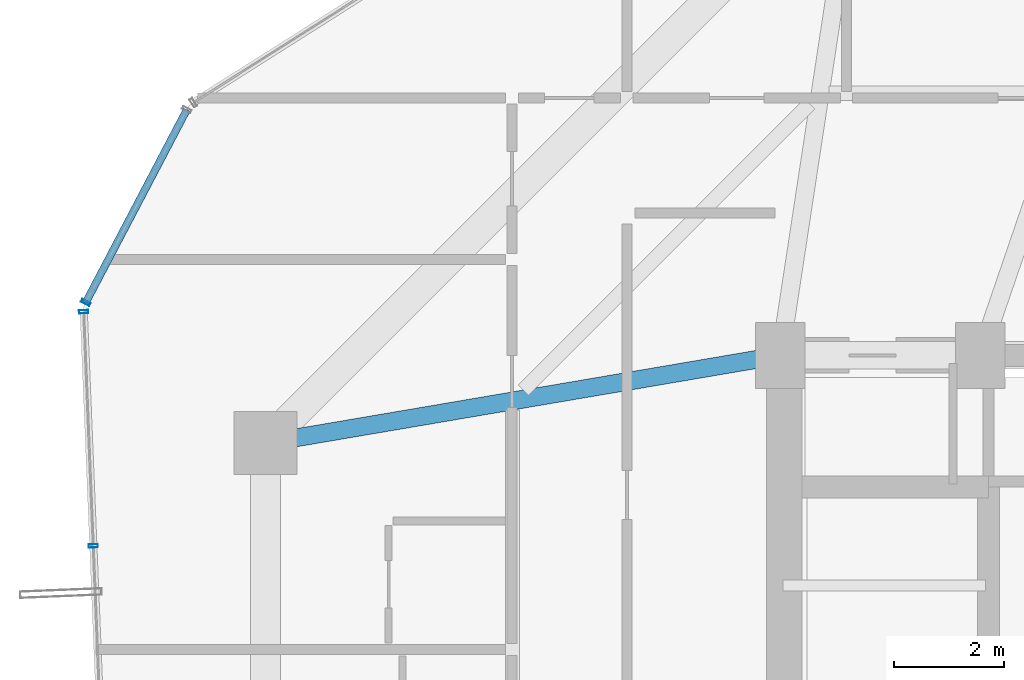
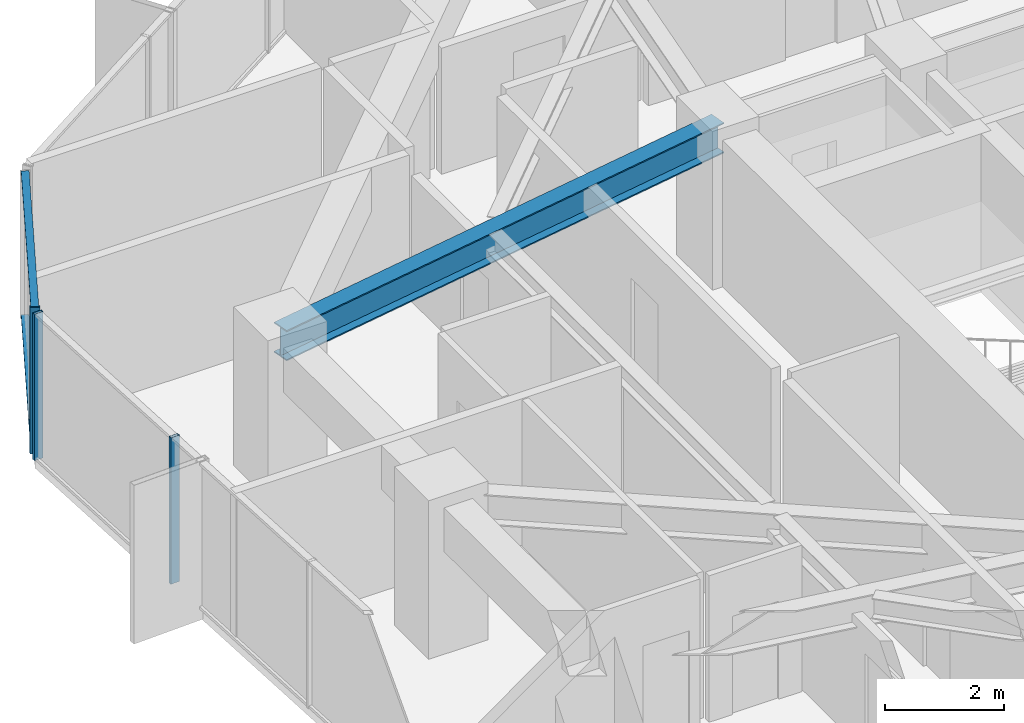
# One storey, part 11 of 32: 5 members, 1 beam, 2 elements without a shape of their own.
"""IFC4 building model written with IfcOpenShell, lengths in metres."""

from ifc_helpers import new_model, si_unit, direction, frame, origin, origin_2d, place, context, subcontext, project, spatial, hollow_rectangle, i_section, extrude, source, transform, mapped, material, layer, layer_set, material_profile, profile_set, type_object, element, aggregate, save


model = new_model("IFC4")

# Units and contexts
model_context = context("Model", 3, precision=1e-05, world=origin(), true_north=direction((0.0, 1.0)))
body_context = subcontext(model_context, "Body", "Model", "MODEL_VIEW")
ifc_project = project(units=[si_unit("LENGTHUNIT", "METRE"), si_unit("AREAUNIT", "SQUARE_METRE"), si_unit("VOLUMEUNIT", "CUBIC_METRE"), si_unit("PLANEANGLEUNIT", "RADIAN"), si_unit("MASSUNIT", "GRAM", prefix="KILO")], contexts=[model_context])

# Site, building, storey
site_placement = place(None, origin())
site = spatial("IfcSite", under=ifc_project, at=site_placement, CompositionType="ELEMENT")
building_placement = place(site_placement, origin())
building = spatial("IfcBuilding", under=site, at=building_placement, Name="Veraguas Prism Commons", CompositionType="ELEMENT")
storey_placement = place(building_placement, frame((0.0, 0.0, 136.0)))
storey = spatial("IfcBuildingStorey", under=building, at=storey_placement, Name="L38", CompositionType="ELEMENT", Elevation=136.0)

# Beam
ifc_material_1 = material(Name="Steel ASTM A992 Grade 50", Category="steel")
ifc_material_profile_1 = material_profile(ifc_material_1, i_section(OverallWidth=0.327880859375, OverallDepth=0.6220703125, WebThickness=0.015380859375, FlangeThickness=0.0244140625, at=origin_2d()), Name="W610X195")
ifc_profile_set_1 = profile_set([ifc_material_profile_1], Name="Steel ASTM A992 Grade 50")
beam_type = type_object("IfcBeamType", Name="Zone 2 Radial Girder W610x195", PredefinedType="BEAM", material=ifc_profile_set_1)
beam_placement = place(storey_placement, frame((7.800048828125, 29.39990234375, 2.68896484375), z_axis=(0.985819187151, 0.1678109956, 0.0), x_axis=(-0.1678109956, 0.985819187151, 0.0)))
element("IfcBeam", 1, at=beam_placement, inside=storey, type_object=beam_type, Name="Radial Floor Girder L38-RD07", PredefinedType="BEAM", context=body_context, shape_type="SweptSolid", body=[
    extrude(i_section(OverallWidth=0.327880859375, OverallDepth=0.6220703125, WebThickness=0.015380859375, FlangeThickness=0.0244140625, at=origin_2d()), origin(), (0.0, 0.0, 1.0), 9.53515625),
])

# Curtain wall, members
ifc_material_2 = material(Name="Anodised aluminium EN AW-6063 T6", Category="aluminium")
ifc_layer = layer(ifc_material_2, 0.169921875, Name="Unitised Flush Curtain Wall Zone 2", Category="aluminium")
ifc_layer_set = layer_set([ifc_layer], Name="Anodised aluminium EN AW-6063 T6")
curtain_wall_type = type_object("IfcCurtainWallType", Name="Unitised Flush Curtain Wall Zone 2", PredefinedType="NOTDEFINED", material=ifc_layer_set)
curtain_wall_1_placement = place(storey_placement, origin())
curtain_wall_1 = element("IfcCurtainWall", 2, at=curtain_wall_1_placement, inside=storey, type_object=curtain_wall_type, Name="Tower Facade Curtain Wall L38-F3", PredefinedType="NOTDEFINED")
ifc_material_profile_2 = material_profile(ifc_material_2, hollow_rectangle(XDim=0.06005859375, YDim=0.169921875, WallThickness=0.00390625, at=origin_2d()), Name="AL60X170X4")
ifc_profile_set_2 = profile_set([ifc_material_profile_2], Name="Anodised aluminium EN AW-6063 T6")
member_type_1 = type_object("IfcMemberType", Name="Curtain Wall Mullion Lower AL 60x170x4", PredefinedType="MULLION", material=ifc_profile_set_2)
shared_shape_1 = source(origin(), body_context, "Body", "SweptSolid", [
    extrude(hollow_rectangle(XDim=0.06005859375, YDim=0.169921875, WallThickness=0.00390625, at=origin_2d()), origin(), (0.0, 0.0, 1.0), 3.0),
])
member_1_placement = place(storey_placement, frame((4.48291015625, 31.796875, 0.0), z_axis=(0.0, 0.0, 1.0), x_axis=(0.040836327473, -0.999165849276, 0.0)))
member_1 = element("IfcMember", 3, at=member_1_placement, type_object=member_type_1, Name="CW-Z2 Mullion 1", PredefinedType="MULLION", context=body_context, shape_type="MappedRepresentation", body=[
    mapped(shared_shape_1, transform((0.0, 0.0, 0.0), scale=1.0)),
])
member_2_placement = place(storey_placement, frame((4.657470703125, 27.521728515625, 0.0), z_axis=(0.0, 0.0, 1.0), x_axis=(0.040836327473, -0.999165849276, 0.0)))
member_2 = element("IfcMember", 4, at=member_2_placement, type_object=member_type_1, Name="CW-Z2 Mullion 2", PredefinedType="MULLION", context=body_context, shape_type="MappedRepresentation", body=[
    mapped(shared_shape_1, transform((0.0, 0.0, 0.0), scale=1.0)),
])
aggregate(curtain_wall_1, [member_1, member_2])

curtain_wall_2_placement = place(storey_placement, origin())
curtain_wall_2 = element("IfcCurtainWall", 5, at=curtain_wall_2_placement, inside=storey, type_object=curtain_wall_type, Name="Chamfer Curtain Wall L38-C3", PredefinedType="NOTDEFINED")
member_3_placement = place(storey_placement, frame((4.52099609375, 31.96630859375, 0.0), z_axis=(0.0, 0.0, 1.0), x_axis=(-0.464200622938, -0.885730083978, 0.0)))
member_3 = element("IfcMember", 6, at=member_3_placement, type_object=member_type_1, Name="CW-Z2 Mullion 2", PredefinedType="MULLION", context=body_context, shape_type="MappedRepresentation", body=[
    mapped(shared_shape_1, transform((0.0, 0.0, 0.0), scale=1.0)),
])
ifc_material_profile_3 = material_profile(ifc_material_2, hollow_rectangle(XDim=0.054931640625, YDim=0.135009765625, WallThickness=0.0029296875, at=origin_2d()), Name="AL55X135X3")
ifc_profile_set_3 = profile_set([ifc_material_profile_3], Name="Anodised aluminium EN AW-6063 T6")
member_type_2 = type_object("IfcMemberType", Name="Curtain Wall Transom Standard AL 55x135x3", PredefinedType="USERDEFINED", material=ifc_profile_set_3)
shared_shape_2 = source(origin(), body_context, "Body", "SweptSolid", [
    extrude(hollow_rectangle(XDim=0.054931640625, YDim=0.135009765625, WallThickness=0.0029296875, at=origin_2d()), origin(), (0.0, 0.0, 1.0), 3.973388671875),
])
member_4_placement = place(storey_placement, frame((6.365478515625, 35.485595703125, 0.027587890625), z_axis=(-0.464213619432, -0.885723272549, 0.0), x_axis=(0.0, 0.0, 1.0)))
member_4 = element("IfcMember", 7, at=member_4_placement, type_object=member_type_2, Name="CW-Z2 Transom 1", ObjectType="TRANSOM", PredefinedType="USERDEFINED", context=body_context, shape_type="MappedRepresentation", body=[
    mapped(shared_shape_2, transform((0.0, 0.0, 0.0), scale=1.0)),
])
member_5_placement = place(storey_placement, frame((6.365478515625, 35.485595703125, 2.972412109375), z_axis=(-0.464213619432, -0.885723272549, 0.0), x_axis=(0.0, 0.0, 1.0)))
member_5 = element("IfcMember", 8, at=member_5_placement, type_object=member_type_2, Name="CW-Z2 Transom 2", ObjectType="TRANSOM", PredefinedType="USERDEFINED", context=body_context, shape_type="MappedRepresentation", body=[
    mapped(shared_shape_2, transform((0.0, 0.0, 0.0), scale=1.0)),
])
aggregate(curtain_wall_2, [member_3, member_4, member_5])

save(model, "model.ifc")
